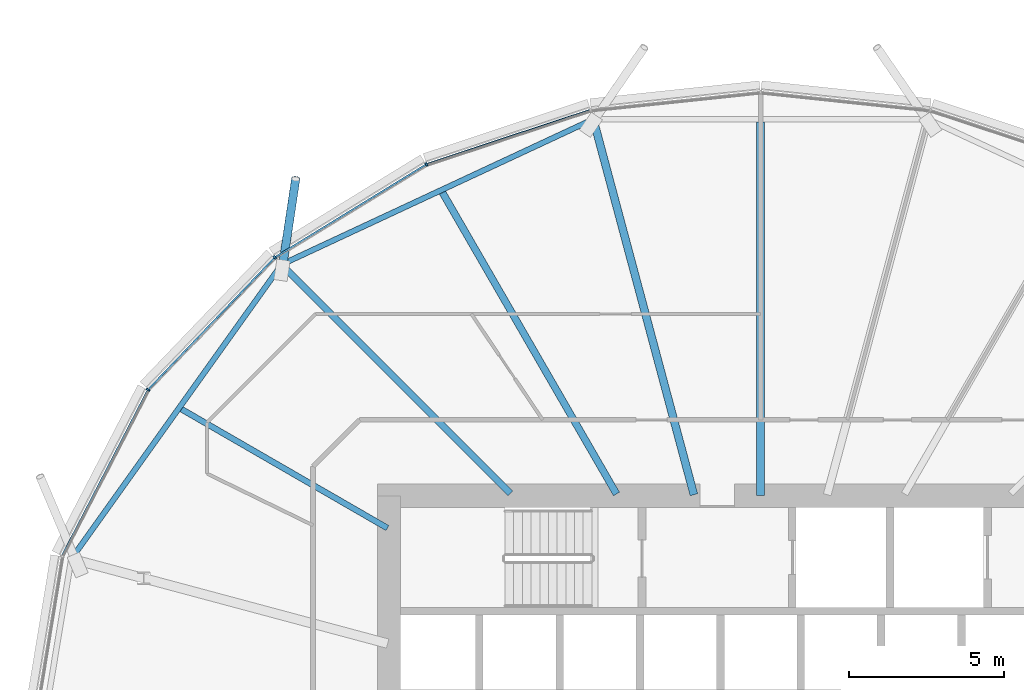
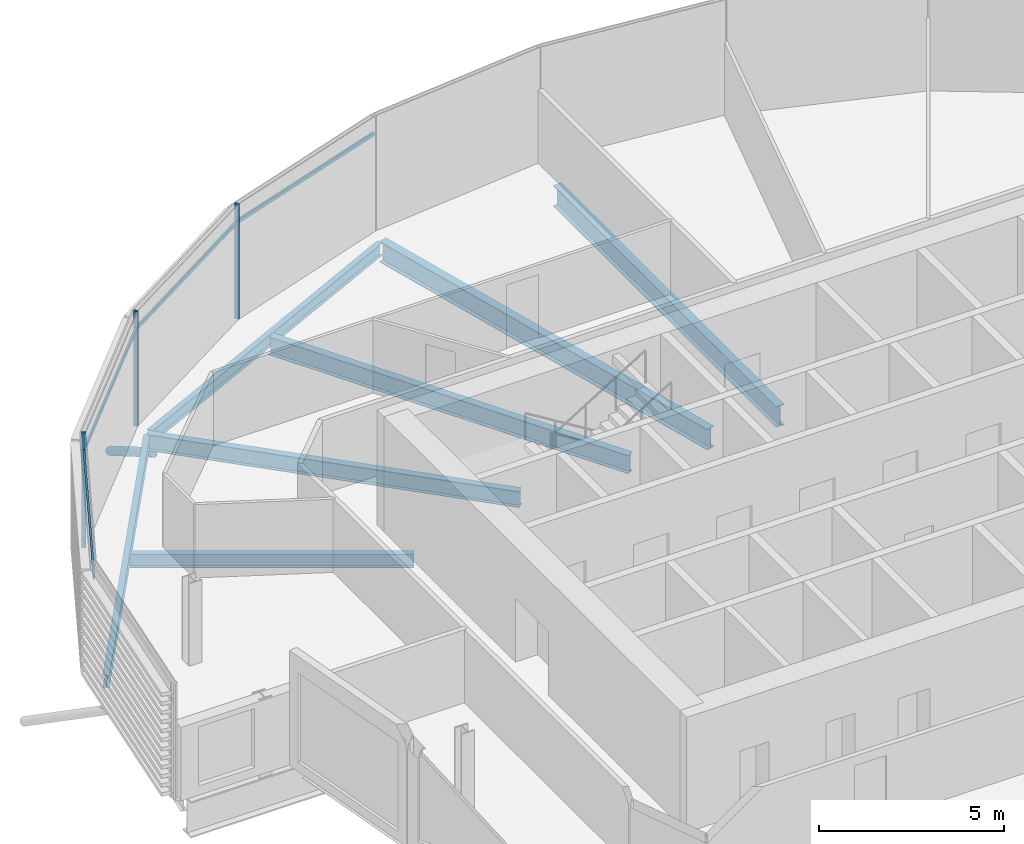
# One storey, part 8 of 39: 8 members, 7 beams, 1 element without a shape of its own.
"""IFC4 building model written with IfcOpenShell, lengths in metres."""

from ifc_helpers import new_model, si_unit, direction, frame, origin, origin_2d, place, context, subcontext, project, spatial, rectangle, hollow_circle, i_section, extrude, clip, halfspace, material, material_profile, profile_set, type_object, element, aggregate, save


model = new_model("IFC4")

# Units and contexts
model_context = context("Model", 3, precision=1e-05, world=origin(), true_north=direction((0.0, 1.0)))
body_context = subcontext(model_context, "Body", "Model", "MODEL_VIEW")
ifc_project = project(units=[si_unit("LENGTHUNIT", "METRE"), si_unit("AREAUNIT", "SQUARE_METRE"), si_unit("VOLUMEUNIT", "CUBIC_METRE"), si_unit("PLANEANGLEUNIT", "RADIAN"), si_unit("MASSUNIT", "GRAM", prefix="KILO")], contexts=[model_context])

# Site, building, storey
site_placement = place(None, origin())
site = spatial("IfcSite", under=ifc_project, at=site_placement, CompositionType="ELEMENT")
building_placement = place(site_placement, origin())
building = spatial("IfcBuilding", under=site, at=building_placement, Name="Rimbun Link Towers", CompositionType="ELEMENT")
storey_placement = place(building_placement, frame((0.0, 0.0, 100.60009765625)))
storey = spatial("IfcBuildingStorey", under=building, at=storey_placement, Name="L24", CompositionType="ELEMENT", Elevation=100.60009765625)

# Curtain wall, members
ifc_material_1 = material(Name="Aluminium 6063-T6 and low-iron glass", Category="aluminium")
curtain_wall_type = type_object("IfcCurtainWallType", Name="CW1-Z2 unitised vision wall (zone 2)", PredefinedType="NOTDEFINED", material=ifc_material_1)
curtain_wall_placement = place(storey_placement, origin())
curtain_wall = element("IfcCurtainWall", 1, at=curtain_wall_placement, inside=storey, type_object=curtain_wall_type, Name="CW1 L24 T1", PredefinedType="NOTDEFINED")
ifc_material_2 = material(Name="Aluminium 6063-T6", Category="aluminium")
ifc_material_profile_1 = material_profile(ifc_material_2, rectangle(XDim=0.1201171875, YDim=0.06005859375, at=origin_2d()), Name="MULLION 60X120")
ifc_profile_set_1 = profile_set([ifc_material_profile_1], Name="Aluminium 6063-T6")
member_type_1 = type_object("IfcMemberType", Name="CW1 mullion 60X120", PredefinedType="MULLION", material=ifc_profile_set_1)
member_1_placement = place(storey_placement, frame((-42.540283203125, 18.699951171875, 0.0), z_axis=(0.0, 0.0, 1.0), x_axis=(-0.421698890318, 0.906735929532, 0.0)))
member_1 = element("IfcMember", 2, at=member_1_placement, type_object=member_type_1, Name="CW1 mullion", PredefinedType="MULLION", context=body_context, shape_type="SweptSolid", body=[
    extrude(rectangle(XDim=0.1201171875, YDim=0.06005859375, at=origin_2d()), origin(), (0.0, 0.0, 1.0), 3.7998046875),
])
member_2_placement = place(storey_placement, frame((-47.435302734375, 15.6943359375, 0.0), z_axis=(0.0, 0.0, 1.0), x_axis=(-0.627674945786, 0.778475537466, 0.0)))
member_2 = element("IfcMember", 3, at=member_2_placement, type_object=member_type_1, Name="CW1 mullion", PredefinedType="MULLION", context=body_context, shape_type="SweptSolid", body=[
    extrude(rectangle(XDim=0.1201171875, YDim=0.06005859375, at=origin_2d()), origin(), (0.0, 0.0, 1.0), 3.7998046875),
])
member_3_placement = place(storey_placement, frame((-51.527587890625, 11.42529296875, 0.0), z_axis=(0.0, 0.0, 1.0), x_axis=(-0.813351214919, 0.581772980801, 0.0)))
member_3 = element("IfcMember", 4, at=member_3_placement, type_object=member_type_1, Name="CW1 mullion", PredefinedType="MULLION", context=body_context, shape_type="SweptSolid", body=[
    extrude(rectangle(XDim=0.1201171875, YDim=0.06005859375, at=origin_2d()), origin(), (0.0, 0.0, 1.0), 3.7998046875),
])
ifc_material_3 = material(Name="Aluminium 6063-T6", Category="aluminium")
ifc_material_profile_2 = material_profile(ifc_material_3, rectangle(XDim=0.06005859375, YDim=0.1201171875, at=origin_2d()), Name="TRANSOM 60X120")
ifc_profile_set_2 = profile_set([ifc_material_profile_2], Name="Aluminium 6063-T6")
member_type_2 = type_object("IfcMemberType", Name="CW1 transom 60X120", PredefinedType="USERDEFINED", material=ifc_profile_set_2)
member_4_placement = place(storey_placement, frame((-42.5048828125, 18.7099609375, 3.199951171875), z_axis=(0.949234500962, 0.314569328102, 0.0), x_axis=(-0.314569328102, 0.949234500962, 0.0)))
member_4 = element("IfcMember", 5, at=member_4_placement, type_object=member_type_2, Name="CW1 transom", ObjectType="TRANSOM", PredefinedType="USERDEFINED", context=body_context, shape_type="SweptSolid", body=[
    extrude(rectangle(XDim=0.06005859375, YDim=0.1201171875, at=origin_2d()), origin(), (0.0, 0.0, 1.0), 5.52197265625),
])
member_5_placement = place(storey_placement, frame((-47.40234375, 15.712646484375, 3.199951171875), z_axis=(0.852185710742, 0.52323944271, 0.0), x_axis=(-0.52323944271, 0.852185710742, 0.0)))
member_5 = element("IfcMember", 6, at=member_5_placement, type_object=member_type_2, Name="CW1 transom", ObjectType="TRANSOM", PredefinedType="USERDEFINED", context=body_context, shape_type="SweptSolid", body=[
    extrude(rectangle(XDim=0.06005859375, YDim=0.1201171875, at=origin_2d()), origin(), (0.0, 0.0, 1.0), 5.669677734375),
])
member_6_placement = place(storey_placement, frame((-51.5, 11.452392578125, 3.199951171875), z_axis=(0.692060682459, 0.72183932547, 0.0), x_axis=(-0.72183932547, 0.692060682459, 0.0)))
member_6 = element("IfcMember", 7, at=member_6_placement, type_object=member_type_2, Name="CW1 transom", ObjectType="TRANSOM", PredefinedType="USERDEFINED", context=body_context, shape_type="SweptSolid", body=[
    extrude(rectangle(XDim=0.06005859375, YDim=0.1201171875, at=origin_2d()), origin(), (0.0, 0.0, 1.0), 5.83740234375),
])
member_7_placement = place(storey_placement, frame((-54.29052734375, 6.0830078125, 3.199951171875), z_axis=(0.459557391844, 0.888148075268, 0.0), x_axis=(-0.888148075268, 0.459557391844, 0.0)))
member_7 = element("IfcMember", 8, at=member_7_placement, type_object=member_type_2, Name="CW1 transom", ObjectType="TRANSOM", PredefinedType="USERDEFINED", context=body_context, shape_type="SweptSolid", body=[
    extrude(rectangle(XDim=0.06005859375, YDim=0.1201171875, at=origin_2d()), origin(), (0.0, 0.0, 1.0), 5.97607421875),
])
aggregate(curtain_wall, [member_1, member_2, member_3, member_4, member_5, member_6, member_7])

# Member
ifc_material_4 = material(Name="Steel S355J2H", Category="steel")
ifc_material_profile_3 = material_profile(ifc_material_4, hollow_circle(Radius=0.136474609375, WallThickness=0.012451171875, at=origin_2d()), Name="CHS 273x12.5")
ifc_profile_set_3 = profile_set([ifc_material_profile_3], Name="Steel S355J2H")
member_type_3 = type_object("IfcMemberType", Name="Floor edge link CHS 273x12.5", PredefinedType="BRACE", material=ifc_profile_set_3)
member_8_placement = place(storey_placement, frame((-47.180419921875, 15.430419921875, -0.80859375), z_axis=(0.125415670754, 0.834800322601, -0.536077728426), x_axis=(-0.988902331728, 0.148567083512, 0.0)))
element("IfcMember", 9, at=member_8_placement, inside=storey, type_object=member_type_3, Name="Floor edge link T1 L24 09", PredefinedType="BRACE", context=body_context, shape_type="Clipping", body=[
    clip(extrude(hollow_circle(Radius=0.136474609375, WallThickness=0.012451171875, at=origin_2d()), frame((0.0, 0.0, -0.448486328125)), (0.0, 0.0, 1.0), 3.818359375), halfspace(frame((0.0, 0.0, -0.21142578125), z_axis=(0.0, 0.844168625978, -0.536077728426)), False)),
])

# Beams
ifc_material_5 = material(Name="Steel S355J2", Category="steel")
ifc_material_profile_4 = material_profile(ifc_material_5, i_section(OverallWidth=0.177978515625, OverallDepth=0.406494140625, WebThickness=0.0078125, FlangeThickness=0.0126953125, at=origin_2d()), Name="UB 406x178x60")
ifc_profile_set_4 = profile_set([ifc_material_profile_4], Name="Steel S355J2")
beam_type_1 = type_object("IfcBeamType", Name="UB 406x178x60", PredefinedType="BEAM", material=ifc_profile_set_4)
beam_1_placement = place(storey_placement, frame((-37.268798828125, 20.10205078125, -0.36328125), z_axis=(-0.906379422837, -0.422464604266, 0.0), x_axis=(0.422464604266, -0.906379422837, 0.0)))
element("IfcBeam", 10, at=beam_1_placement, inside=storey, type_object=beam_type_1, Name="Edge beam T1 L24 07-09", PredefinedType="BEAM", context=body_context, shape_type="SweptSolid", body=[
    extrude(i_section(OverallWidth=0.177978515625, OverallDepth=0.406494140625, WebThickness=0.0078125, FlangeThickness=0.0126953125, at=origin_2d()), origin(), (0.0, 0.0, 1.0), 10.862060546875),
])
beam_2_placement = place(storey_placement, frame((-47.278076171875, 15.378662109375, -0.36328125), z_axis=(-0.581369775977, -0.813639467811, 0.0), x_axis=(0.813639467811, -0.581369775977, 0.0)))
element("IfcBeam", 11, at=beam_2_placement, inside=storey, type_object=beam_type_1, Name="Edge beam T1 L24 09-11", PredefinedType="BEAM", context=body_context, shape_type="SweptSolid", body=[
    extrude(i_section(OverallWidth=0.177978515625, OverallDepth=0.406494140625, WebThickness=0.0078125, FlangeThickness=0.0126953125, at=origin_2d()), origin(), (0.0, 0.0, 1.0), 11.40771484375),
])
ifc_material_6 = material(Name="Steel S355J2", Category="steel")
ifc_material_profile_5 = material_profile(ifc_material_6, i_section(OverallWidth=0.18994140625, OverallDepth=0.453369140625, WebThickness=0.008544921875, FlangeThickness=0.0126953125, at=origin_2d()), Name="UB 457x191x67")
ifc_profile_set_5 = profile_set([ifc_material_profile_5], Name="Steel S355J2")
beam_type_2 = type_object("IfcBeamType", Name="UB 457x191x67", PredefinedType="BEAM", material=ifc_profile_set_5)
beam_3_placement = place(storey_placement, frame((-43.79833984375, 6.9560546875, -0.38671875), z_axis=(-0.866012339475, 0.500022627366, 0.0), x_axis=(-0.500022627366, -0.866012339475, 0.0)))
element("IfcBeam", 12, at=beam_3_placement, inside=storey, type_object=beam_type_2, Name="Radial beam T1 L24 10", PredefinedType="BEAM", context=body_context, shape_type="SweptSolid", body=[
    extrude(i_section(OverallWidth=0.18994140625, OverallDepth=0.453369140625, WebThickness=0.008544921875, FlangeThickness=0.0126953125, at=origin_2d()), origin(), (0.0, 0.0, 1.0), 7.674072265625),
])
ifc_material_7 = material(Name="Steel S355J2", Category="steel")
ifc_material_profile_6 = material_profile(ifc_material_7, i_section(OverallWidth=0.209228515625, OverallDepth=0.533203125, WebThickness=0.010009765625, FlangeThickness=0.015625, at=origin_2d()), Name="UB 533x210x92")
ifc_profile_set_6 = profile_set([ifc_material_profile_6], Name="Steel S355J2")
beam_type_3 = type_object("IfcBeamType", Name="UB 533x210x92", PredefinedType="BEAM", material=ifc_profile_set_6)
beam_4_placement = place(storey_placement, frame((-39.82470703125, 8.07470703125, -0.426513671875), z_axis=(-0.707106781187, 0.707106781187, 0.0), x_axis=(-0.707106781187, -0.707106781187, 0.0)))
element("IfcBeam", 13, at=beam_4_placement, inside=storey, type_object=beam_type_3, Name="Radial beam T1 L24 09", PredefinedType="BEAM", context=body_context, shape_type="SweptSolid", body=[
    extrude(i_section(OverallWidth=0.209228515625, OverallDepth=0.533203125, WebThickness=0.010009765625, FlangeThickness=0.015625, at=origin_2d()), origin(), (0.0, 0.0, 1.0), 10.45263671875),
])
ifc_material_8 = material(Name="Steel S355J2", Category="steel")
ifc_material_profile_7 = material_profile(ifc_material_8, i_section(OverallWidth=0.2275390625, OverallDepth=0.6025390625, WebThickness=0.010498046875, FlangeThickness=0.014892578125, at=origin_2d()), Name="UB 610x229x101")
ifc_profile_set_7 = profile_set([ifc_material_profile_7], Name="Steel S355J2")
beam_type_4 = type_object("IfcBeamType", Name="UB 610x229x101", PredefinedType="BEAM", material=ifc_profile_set_7)
beam_5_placement = place(storey_placement, frame((-36.402099609375, 8.057861328125, -0.46142578125), z_axis=(-0.50001148964, 0.866018770136, 0.0), x_axis=(-0.866018770136, -0.50001148964, 0.0)))
element("IfcBeam", 14, at=beam_5_placement, inside=storey, type_object=beam_type_4, Name="Radial beam T1 L24 08", PredefinedType="BEAM", context=body_context, shape_type="SweptSolid", body=[
    extrude(i_section(OverallWidth=0.2275390625, OverallDepth=0.6025390625, WebThickness=0.010498046875, FlangeThickness=0.014892578125, at=origin_2d()), origin(), (0.0, 0.0, 1.0), 11.235595703125),
])
ifc_material_9 = material(Name="Steel S355J2", Category="steel")
ifc_material_profile_8 = material_profile(ifc_material_9, i_section(OverallWidth=0.253662109375, OverallDepth=0.68359375, WebThickness=0.012451171875, FlangeThickness=0.01904296875, at=origin_2d()), Name="UB 686x254x140")
ifc_profile_set_8 = profile_set([ifc_material_profile_8], Name="Steel S355J2")
beam_type_5 = type_object("IfcBeamType", Name="UB 686x254x140", PredefinedType="BEAM", material=ifc_profile_set_8)
beam_6_placement = place(storey_placement, frame((-31.75, 8.0009765625, -0.501953125), z_axis=(0.0, 1.0, 0.0), x_axis=(-1.0, 0.0, 0.0)))
element("IfcBeam", 15, at=beam_6_placement, inside=storey, type_object=beam_type_5, Name="Radial beam T1 L24 06", PredefinedType="BEAM", context=body_context, shape_type="SweptSolid", body=[
    extrude(i_section(OverallWidth=0.253662109375, OverallDepth=0.68359375, WebThickness=0.012451171875, FlangeThickness=0.01904296875, at=origin_2d()), origin(), (0.0, 0.0, 1.0), 12.06591796875),
])
beam_7_placement = place(storey_placement, frame((-33.902587890625, 8.03369140625, -0.501953125), z_axis=(-0.258813870741, 0.96592721274, 0.0), x_axis=(-0.96592721274, -0.258813870741, 0.0)))
element("IfcBeam", 16, at=beam_7_placement, inside=storey, type_object=beam_type_5, Name="Radial beam T1 L24 07", PredefinedType="BEAM", context=body_context, shape_type="SweptSolid", body=[
    extrude(i_section(OverallWidth=0.253662109375, OverallDepth=0.68359375, WebThickness=0.012451171875, FlangeThickness=0.01904296875, at=origin_2d()), origin(), (0.0, 0.0, 1.0), 12.55078125),
])

save(model, "model.ifc")
